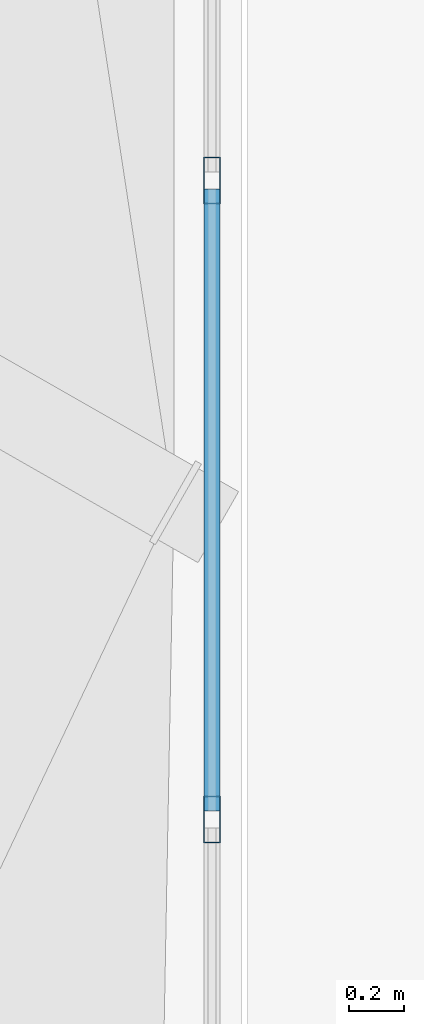
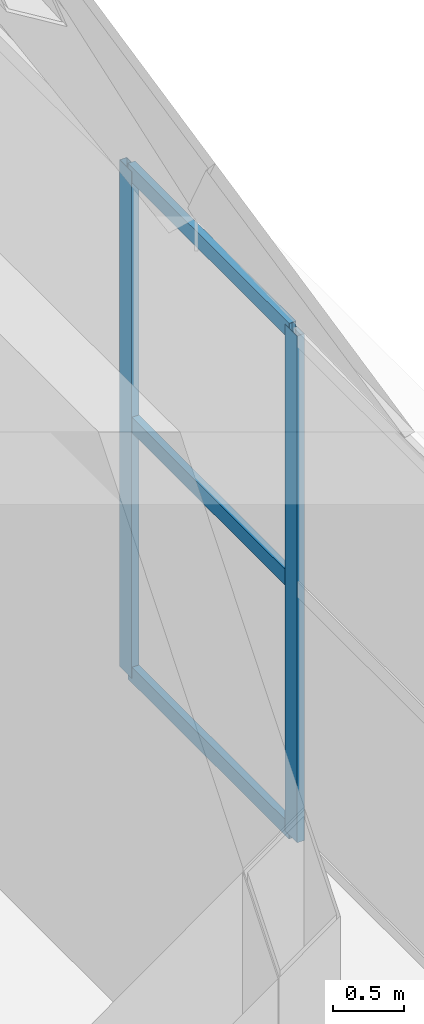
# One storey, part 9 of 30: 5 members, 1 element without a shape of its own.
"""IFC4 building model written with IfcOpenShell, lengths in metres."""

from ifc_helpers import new_model, si_unit, direction, frame, origin, origin_2d, place, context, subcontext, project, spatial, hollow_rectangle, extrude, material, layer, layer_set, material_profile, profile_set, type_object, element, aggregate, save


model = new_model("IFC4")

# Units and contexts
model_context = context("Model", 3, precision=1e-05, world=origin(), true_north=direction((0.0, 1.0)))
body_context = subcontext(model_context, "Body", "Model", "MODEL_VIEW")
ifc_project = project(units=[si_unit("LENGTHUNIT", "METRE"), si_unit("AREAUNIT", "SQUARE_METRE"), si_unit("VOLUMEUNIT", "CUBIC_METRE"), si_unit("PLANEANGLEUNIT", "RADIAN"), si_unit("MASSUNIT", "GRAM", prefix="KILO")], contexts=[model_context])

# Site, building, storey
site_placement = place(None, origin())
site = spatial("IfcSite", under=ifc_project, at=site_placement, CompositionType="ELEMENT")
building_placement = place(site_placement, origin())
building = spatial("IfcBuilding", under=site, at=building_placement, Name="Haolan Belvedere Tower", CompositionType="ELEMENT")
storey_placement = place(building_placement, frame((0.0, 0.0, 333.0)))
storey = spatial("IfcBuildingStorey", under=building, at=storey_placement, Name="L83", CompositionType="ELEMENT", Elevation=333.0)

# Curtain wall, members
ifc_material_1 = material(Name="Anodised champagne-silver aluminium 6063-T6 and Low-E glass", Category="aluminium")
ifc_layer = layer(ifc_material_1, 0.172119140625, Name="Anodised champagne-silver aluminium 6063-T6 and Low-E glass")
ifc_layer_set = layer_set([ifc_layer], Name="Anodised champagne-silver aluminium 6063-T6 and Low-E glass")
curtain_wall_type = type_object("IfcCurtainWallType", Name="CW-SYS-07", PredefinedType="NOTDEFINED", material=ifc_layer_set)
curtain_wall_placement = place(storey_placement, origin())
curtain_wall = element("IfcCurtainWall", 1, at=curtain_wall_placement, inside=storey, type_object=curtain_wall_type, Name="L83 CW-SYS-07 ribbon curtain wall 4.1", PredefinedType="NOTDEFINED")
ifc_material_2 = material(Name="Anodised aluminium 6063-T6", Category="aluminium")
ifc_material_profile_1 = material_profile(ifc_material_2, hollow_rectangle(XDim=0.06201171875, YDim=0.172119140625, WallThickness=0.00390625, at=origin_2d()), Name="Anodised aluminium 6063-T6")
ifc_profile_set_1 = profile_set([ifc_material_profile_1], Name="Anodised aluminium 6063-T6")
member_type_1 = type_object("IfcMemberType", Name="CW-SYS-07-MUL", PredefinedType="MULLION", material=ifc_profile_set_1)
member_1_placement = place(storey_placement, frame((48.68994140625, 29.635009765625, 0.0), z_axis=(0.0, 0.0, 1.0), x_axis=(-1.0, 0.0, 0.0)))
member_1 = element("IfcMember", 2, at=member_1_placement, type_object=member_type_1, Name="CW-07 mullion 3", PredefinedType="MULLION", context=body_context, shape_type="SweptSolid", body=[
    extrude(hollow_rectangle(XDim=0.06201171875, YDim=0.172119140625, WallThickness=0.00390625, at=origin_2d()), origin(), (0.0, 0.0, 1.0), 4.3798828125),
])
member_2_placement = place(storey_placement, frame((48.68994140625, 31.97802734375, 0.0), z_axis=(0.0, 0.0, 1.0), x_axis=(-1.0, 0.0, 0.0)))
member_2 = element("IfcMember", 3, at=member_2_placement, type_object=member_type_1, Name="CW-07 mullion 4", PredefinedType="MULLION", context=body_context, shape_type="SweptSolid", body=[
    extrude(hollow_rectangle(XDim=0.06201171875, YDim=0.172119140625, WallThickness=0.00390625, at=origin_2d()), origin(), (0.0, 0.0, 1.0), 4.3798828125),
])
ifc_material_profile_2 = material_profile(ifc_material_2, hollow_rectangle(XDim=0.05810546875, YDim=0.135009765625, WallThickness=0.00390625, at=origin_2d()), Name="Anodised aluminium 6063-T6")
ifc_profile_set_2 = profile_set([ifc_material_profile_2], Name="Anodised aluminium 6063-T6")
member_type_2 = type_object("IfcMemberType", Name="CW-SYS-07-TRN", PredefinedType="USERDEFINED", material=ifc_profile_set_2)
member_3_placement = place(storey_placement, frame((48.68994140625, 29.666015625, 0.029052734375), z_axis=(0.0, 1.0, 0.0), x_axis=(-1.0, 0.0, 0.0)))
member_3 = element("IfcMember", 4, at=member_3_placement, type_object=member_type_2, Name="CW-07 transom 3.1", ObjectType="TRANSOM", PredefinedType="USERDEFINED", context=body_context, shape_type="SweptSolid", body=[
    extrude(hollow_rectangle(XDim=0.05810546875, YDim=0.135009765625, WallThickness=0.00390625, at=origin_2d()), origin(), (0.0, 0.0, 1.0), 2.281005859375),
])
member_4_placement = place(storey_placement, frame((48.68994140625, 29.666015625, 2.18994140625), z_axis=(0.0, 1.0, 0.0), x_axis=(-1.0, 0.0, 0.0)))
member_4 = element("IfcMember", 5, at=member_4_placement, type_object=member_type_2, Name="CW-07 transom 3.2", ObjectType="TRANSOM", PredefinedType="USERDEFINED", context=body_context, shape_type="SweptSolid", body=[
    extrude(hollow_rectangle(XDim=0.05810546875, YDim=0.135009765625, WallThickness=0.00390625, at=origin_2d()), origin(), (0.0, 0.0, 1.0), 2.281005859375),
])
member_5_placement = place(storey_placement, frame((48.68994140625, 29.666015625, 4.35107421875), z_axis=(0.0, 1.0, 0.0), x_axis=(-1.0, 0.0, 0.0)))
member_5 = element("IfcMember", 6, at=member_5_placement, type_object=member_type_2, Name="CW-07 transom 3.3", ObjectType="TRANSOM", PredefinedType="USERDEFINED", context=body_context, shape_type="SweptSolid", body=[
    extrude(hollow_rectangle(XDim=0.05810546875, YDim=0.135009765625, WallThickness=0.00390625, at=origin_2d()), origin(), (0.0, 0.0, 1.0), 2.281005859375),
])
aggregate(curtain_wall, [member_1, member_2, member_3, member_4, member_5])

save(model, "model.ifc")
